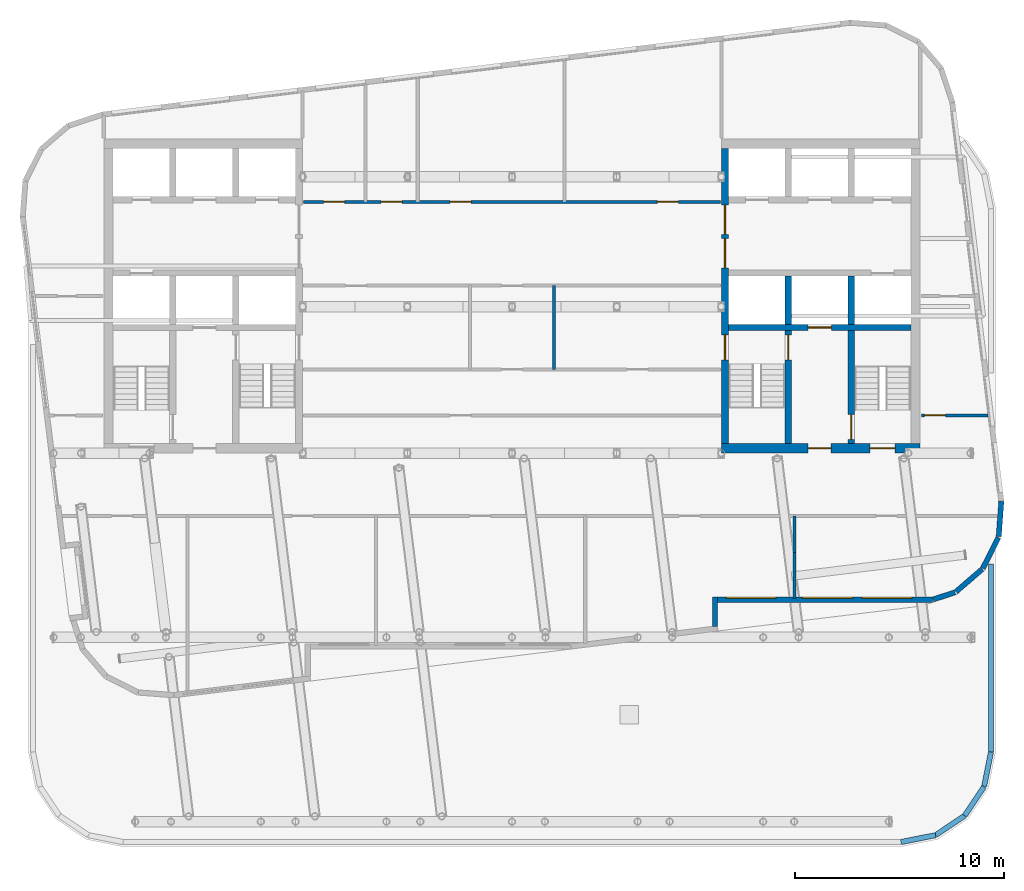
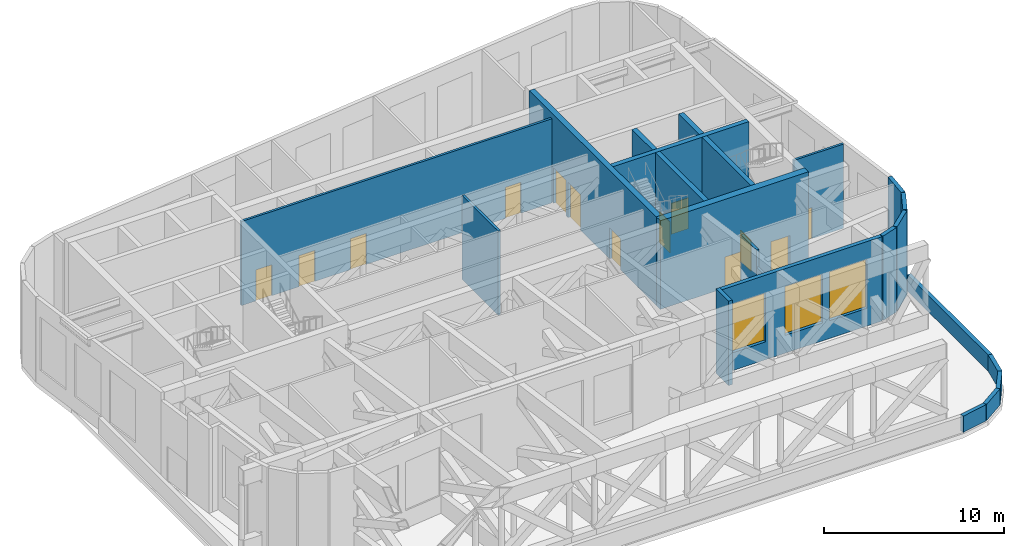
# One storey, part 11 of 16: 23 walls, 13 doors, 3 windows, 16 openings.
"""IFC4 building model written with IfcOpenShell, lengths in metres."""

from ifc_helpers import new_model, si_unit, direction, frame, frame_2d, origin, place, context, subcontext, project, spatial, rectangle, extrude, material, layer, layer_set, type_object, element, fill, save


model = new_model("IFC4")

# Units and contexts
model_context = context("Model", 3, precision=1e-05, world=origin(), true_north=direction((0.0, 1.0)))
body_context = subcontext(model_context, "Body", "Model", "MODEL_VIEW")
ifc_project = project(units=[si_unit("LENGTHUNIT", "METRE"), si_unit("AREAUNIT", "SQUARE_METRE"), si_unit("VOLUMEUNIT", "CUBIC_METRE"), si_unit("PLANEANGLEUNIT", "RADIAN"), si_unit("MASSUNIT", "GRAM", prefix="KILO")], contexts=[model_context])

# Site, building, storey
site_placement = place(None, origin())
site = spatial("IfcSite", under=ifc_project, at=site_placement, CompositionType="ELEMENT")
building_placement = place(site_placement, origin())
building = spatial("IfcBuilding", under=site, at=building_placement, Name="Torana Hotel and Residences", CompositionType="ELEMENT")
storey_placement = place(building_placement, frame((0.0, 0.0, 308.60009765625)))
storey = spatial("IfcBuildingStorey", under=building, at=storey_placement, Name="L82", CompositionType="ELEMENT", Elevation=308.60009765625)

# Wall, opening, door
ifc_material_1 = material(Name="Concrete C60/75", Category="concrete")
ifc_layer_1 = layer(ifc_material_1, 0.300048828125)
ifc_layer_set_1 = layer_set([ifc_layer_1], Name="CORE WALL 300 C60/75")
wall_type_1 = type_object("IfcWallType", Name="CORE WALL 300 C60/75", PredefinedType="SHEAR", material=ifc_layer_set_1)
wall_1_placement = place(storey_placement, frame((10.35009765625, -9.0, 0.0), z_axis=(0.0, 0.0, 1.0), x_axis=(1.0, 0.0, 0.0)))
wall_1 = element("IfcWall", 1, at=wall_1_placement, inside=storey, type_object=wall_type_1, Name="Core wall E band", PredefinedType="SHEAR", context=body_context, shape_type="SweptSolid", body=[
    extrude(rectangle(XDim=8.699951171875, YDim=0.300048828125, at=frame_2d((4.35009765625, 0.0))), origin(), (0.0, 0.0, 1.0), 6.0),
])
opening_1_placement = place(wall_1_placement, frame((3.800048828125, 0.0, 0.0)))
opening_1 = element("IfcOpeningElement", 2, at=opening_1_placement, cuts=wall_1, Name="Opening LD", PredefinedType="OPENING", context=body_context, shape_type="SweptSolid", body=[
    extrude(rectangle(XDim=1.10009765625, YDim=2.10009765625, at=frame_2d((0.550048828125, 1.050048828125))), frame((0.0, 0.159912109375, 0.0), z_axis=(0.0, -1.0, 0.0), x_axis=(1.0, 0.0, 0.0)), (0.0, 0.0, 1.0), 0.320068359375),
])
ifc_material_2 = material(Name="Stainless steel 316", Category="steel")
door_type_1 = type_object("IfcDoorType", Name="LIFT LANDING DOOR LD 1100x2100", OperationType="DOUBLE_DOOR_SLIDING", PredefinedType="USERDEFINED", material=ifc_material_2)
door_1_placement = place(opening_1_placement, origin())
door_1 = element("IfcDoor", 3, at=door_1_placement, inside=storey, type_object=door_type_1, Name="Lift landing door FF2 L82", ObjectType="LIFT LANDING DOOR", OperationType="DOUBLE_DOOR_SLIDING", OverallHeight=2.10009765625, OverallWidth=1.10009765625, PredefinedType="USERDEFINED", context=body_context, shape_type="SweptSolid", body=[
    extrude(rectangle(XDim=1.10009765625, YDim=2.10009765625, at=frame_2d((0.550048828125, 1.050048828125))), frame((0.0, 0.02490234375, 0.0), z_axis=(0.0, -1.0, 0.0), x_axis=(1.0, 0.0, 0.0)), (0.0, 0.0, 1.0), 0.050048828125),
])
fill(opening_1, door_1)

# Wall
wall_2_placement = place(storey_placement, frame((13.199951171875, -8.85009765625, 0.0), z_axis=(0.0, 0.0, 1.0), x_axis=(0.0, 1.0, 0.0)))
element("IfcWall", 4, at=wall_2_placement, inside=storey, type_object=wall_type_1, Name="Core wall E x3.05-S", PredefinedType="SHEAR", context=body_context, shape_type="SweptSolid", body=[
    extrude(rectangle(XDim=2.300048828125, YDim=0.300048828125, at=frame_2d((1.14990234375, 0.0))), origin(), (0.0, 0.0, 1.0), 6.0),
])

# Wall, opening, door
wall_3_placement = place(storey_placement, frame((13.199951171875, -14.550048828125, 0.0), z_axis=(0.0, 0.0, 1.0), x_axis=(0.0, 1.0, 0.0)))
wall_3 = element("IfcWall", 5, at=wall_3_placement, inside=storey, type_object=wall_type_1, Name="Core wall E x3.05-band", PredefinedType="SHEAR", context=body_context, shape_type="SweptSolid", body=[
    extrude(rectangle(XDim=5.400146484375, YDim=0.300048828125, at=frame_2d((2.7001953125, 0.0))), origin(), (0.0, 0.0, 1.0), 6.0),
])
opening_2_placement = place(wall_3_placement, frame((4.0, 0.0, 0.0)))
opening_2 = element("IfcOpeningElement", 6, at=opening_2_placement, cuts=wall_3, Name="Opening L82-15", PredefinedType="OPENING", context=body_context, shape_type="SweptSolid", body=[
    extrude(rectangle(XDim=1.199951171875, YDim=2.10009765625, at=frame_2d((0.60009765625, 1.050048828125))), frame((0.0, 0.159912109375, 0.0), z_axis=(0.0, -1.0, 0.0), x_axis=(1.0, 0.0, 0.0)), (0.0, 0.0, 1.0), 0.320068359375),
])
ifc_material_3 = material(Name="Steel S235", Category="steel")
door_type_2 = type_object("IfcDoorType", Name="STAIR FIRE DOOR D3 1200x2100", OperationType="SINGLE_SWING_LEFT", PredefinedType="DOOR", material=ifc_material_3)
door_2_placement = place(opening_2_placement, origin())
door_2 = element("IfcDoor", 7, at=door_2_placement, inside=storey, type_object=door_type_2, Name="Stair-A-lobby door L82", OperationType="SINGLE_SWING_LEFT", OverallHeight=2.10009765625, OverallWidth=1.199951171875, PredefinedType="DOOR", context=body_context, shape_type="SweptSolid", body=[
    extrude(rectangle(XDim=1.199951171875, YDim=2.10009765625, at=frame_2d((0.60009765625, 1.050048828125))), frame((0.0, 0.02490234375, 0.0), z_axis=(0.0, -1.0, 0.0), x_axis=(1.0, 0.0, 0.0)), (0.0, 0.0, 1.0), 0.050048828125),
])
fill(opening_2, door_2)

# Wall
wall_4_placement = place(storey_placement, frame((16.199951171875, -8.85009765625, 0.0), z_axis=(0.0, 0.0, 1.0), x_axis=(0.0, 1.0, 0.0)))
element("IfcWall", 8, at=wall_4_placement, inside=storey, type_object=wall_type_1, Name="Core wall E x6.05-S", PredefinedType="SHEAR", context=body_context, shape_type="SweptSolid", body=[
    extrude(rectangle(XDim=2.300048828125, YDim=0.300048828125, at=frame_2d((1.14990234375, 0.0))), origin(), (0.0, 0.0, 1.0), 6.0),
])

# Wall, opening, door
wall_5_placement = place(storey_placement, frame((16.199951171875, -14.550048828125, 0.0), z_axis=(0.0, 0.0, 1.0), x_axis=(0.0, 1.0, 0.0)))
wall_5 = element("IfcWall", 9, at=wall_5_placement, inside=storey, type_object=wall_type_1, Name="Core wall E x6.05-band", PredefinedType="SHEAR", context=body_context, shape_type="SweptSolid", body=[
    extrude(rectangle(XDim=5.400146484375, YDim=0.300048828125, at=frame_2d((2.7001953125, 0.0))), origin(), (0.0, 0.0, 1.0), 6.0),
])
opening_3_placement = place(wall_5_placement, frame((0.199951171875, 0.0, 0.0)))
opening_3 = element("IfcOpeningElement", 10, at=opening_3_placement, cuts=wall_5, Name="Opening L82-16", PredefinedType="OPENING", context=body_context, shape_type="SweptSolid", body=[
    extrude(rectangle(XDim=1.199951171875, YDim=2.10009765625, at=frame_2d((0.60009765625, 1.050048828125))), frame((0.0, 0.159912109375, 0.0), z_axis=(0.0, -1.0, 0.0), x_axis=(1.0, 0.0, 0.0)), (0.0, 0.0, 1.0), 0.320068359375),
])
door_3_placement = place(opening_3_placement, frame((0.60009765625, 0.0, 0.0), z_axis=(0.0, 0.0, 1.0), x_axis=(-1.0, 0.0, 0.0)))
door_3 = element("IfcDoor", 11, at=door_3_placement, inside=storey, type_object=door_type_2, Name="Stair-B-lobby door L82", OperationType="SINGLE_SWING_LEFT", OverallHeight=2.10009765625, OverallWidth=1.199951171875, PredefinedType="DOOR", context=body_context, shape_type="SweptSolid", body=[
    extrude(rectangle(XDim=1.199951171875, YDim=2.10009765625, at=frame_2d((0.0, 1.050048828125))), frame((0.0, -0.02490234375, 0.0), z_axis=(0.0, 1.0, 0.0), x_axis=(-1.0, 0.0, 0.0)), (0.0, 0.0, 1.0), 0.050048828125),
])
fill(opening_3, door_3)

# Wall, openings, doors
ifc_material_4 = material(Name="Concrete C60/75", Category="concrete")
ifc_layer_2 = layer(ifc_material_4, 0.35009765625)
ifc_layer_set_2 = layer_set([ifc_layer_2], Name="CORE WALL 350 C60/75")
wall_type_2 = type_object("IfcWallType", Name="CORE WALL 350 C60/75", PredefinedType="SHEAR", material=ifc_layer_set_2)
wall_6_placement = place(storey_placement, frame((10.175048828125, -14.550048828125, 0.0), z_axis=(0.0, 0.0, 1.0), x_axis=(0.0, 1.0, 0.0)))
wall_6 = element("IfcWall", 12, at=wall_6_placement, inside=storey, type_object=wall_type_2, Name="Core wall E arch", PredefinedType="SHEAR", context=body_context, shape_type="SweptSolid", body=[
    extrude(rectangle(XDim=14.10009765625, YDim=0.35009765625, at=frame_2d((7.050048828125, 0.0))), origin(), (0.0, 0.0, 1.0), 6.0),
])
opening_4_placement = place(wall_6_placement, frame((8.39990234375, 0.0, 0.0)))
opening_4 = element("IfcOpeningElement", 13, at=opening_4_placement, cuts=wall_6, Name="Opening L82-09", PredefinedType="OPENING", context=body_context, shape_type="SweptSolid", body=[
    extrude(rectangle(XDim=1.39990234375, YDim=2.39990234375, at=frame_2d((0.699951171875, 1.199951171875))), frame((0.0, 0.18505859375, 0.0), z_axis=(0.0, -1.0, 0.0), x_axis=(1.0, 0.0, 0.0)), (0.0, 0.0, 1.0), 0.3701171875),
])
opening_5_placement = place(wall_6_placement, frame((10.0, 0.0, 0.0)))
opening_5 = element("IfcOpeningElement", 14, at=opening_5_placement, cuts=wall_6, Name="Opening L82-10", PredefinedType="OPENING", context=body_context, shape_type="SweptSolid", body=[
    extrude(rectangle(XDim=1.39990234375, YDim=2.39990234375, at=frame_2d((0.699951171875, 1.199951171875))), frame((0.0, 0.18505859375, 0.0), z_axis=(0.0, -1.0, 0.0), x_axis=(1.0, 0.0, 0.0)), (0.0, 0.0, 1.0), 0.3701171875),
])
opening_6_placement = place(wall_6_placement, frame((4.0, 0.0, 0.0)))
opening_6 = element("IfcOpeningElement", 15, at=opening_6_placement, cuts=wall_6, Name="Opening L82-11", PredefinedType="OPENING", context=body_context, shape_type="SweptSolid", body=[
    extrude(rectangle(XDim=1.199951171875, YDim=2.10009765625, at=frame_2d((0.60009765625, 1.050048828125))), frame((0.0, 0.18505859375, 0.0), z_axis=(0.0, -1.0, 0.0), x_axis=(1.0, 0.0, 0.0)), (0.0, 0.0, 1.0), 0.3701171875),
])
ifc_material_5 = material(Name="Steel S235", Category="steel")
door_type_3 = type_object("IfcDoorType", Name="LOBBY FIRE DOOR D4 1400x2400", OperationType="DOUBLE_DOOR_SINGLE_SWING", PredefinedType="DOOR", material=ifc_material_5)
door_4_placement = place(opening_4_placement, origin())
door_4 = element("IfcDoor", 16, at=door_4_placement, inside=storey, type_object=door_type_3, Name="Lobby-1 door L82", OperationType="DOUBLE_DOOR_SINGLE_SWING", OverallHeight=2.39990234375, OverallWidth=1.39990234375, PredefinedType="DOOR", context=body_context, shape_type="SweptSolid", body=[
    extrude(rectangle(XDim=1.39990234375, YDim=2.39990234375, at=frame_2d((0.699951171875, 1.199951171875))), frame((0.0, 0.02490234375, 0.0), z_axis=(0.0, -1.0, 0.0), x_axis=(1.0, 0.0, 0.0)), (0.0, 0.0, 1.0), 0.050048828125),
])
fill(opening_4, door_4)
door_5_placement = place(opening_5_placement, origin())
door_5 = element("IfcDoor", 17, at=door_5_placement, inside=storey, type_object=door_type_3, Name="Lobby-2 door L82", OperationType="DOUBLE_DOOR_SINGLE_SWING", OverallHeight=2.39990234375, OverallWidth=1.39990234375, PredefinedType="DOOR", context=body_context, shape_type="SweptSolid", body=[
    extrude(rectangle(XDim=1.39990234375, YDim=2.39990234375, at=frame_2d((0.699951171875, 1.199951171875))), frame((0.0, 0.02490234375, 0.0), z_axis=(0.0, -1.0, 0.0), x_axis=(1.0, 0.0, 0.0)), (0.0, 0.0, 1.0), 0.050048828125),
])
fill(opening_5, door_5)
door_6_placement = place(opening_6_placement, frame((0.60009765625, 0.0, 0.0), z_axis=(0.0, 0.0, 1.0), x_axis=(-1.0, 0.0, 0.0)))
door_6 = element("IfcDoor", 18, at=door_6_placement, inside=storey, type_object=door_type_2, Name="Stair-A door L82", OperationType="SINGLE_SWING_RIGHT", OverallHeight=2.10009765625, OverallWidth=1.199951171875, PredefinedType="DOOR", context=body_context, shape_type="SweptSolid", body=[
    extrude(rectangle(XDim=1.199951171875, YDim=2.10009765625, at=frame_2d((0.0, 1.050048828125))), frame((0.0, -0.02490234375, 0.0), z_axis=(0.0, 1.0, 0.0), x_axis=(-1.0, 0.0, 0.0)), (0.0, 0.0, 1.0), 0.050048828125),
])
fill(opening_6, door_6)

ifc_material_6 = material(Name="Concrete C60/75", Category="concrete")
ifc_layer_3 = layer(ifc_material_6, 0.449951171875)
ifc_layer_set_3 = layer_set([ifc_layer_3], Name="CORE WALL 450 C60/75")
wall_type_3 = type_object("IfcWallType", Name="CORE WALL 450 C60/75", PredefinedType="SHEAR", material=ifc_layer_set_3)
wall_7_placement = place(storey_placement, frame((10.0, -14.77490234375, 0.0), z_axis=(0.0, 0.0, 1.0), x_axis=(1.0, 0.0, 0.0)))
wall_7 = element("IfcWall", 19, at=wall_7_placement, inside=storey, type_object=wall_type_3, Name="Core wall E front", PredefinedType="SHEAR", context=body_context, shape_type="SweptSolid", body=[
    extrude(rectangle(XDim=9.5, YDim=0.449951171875, at=frame_2d((4.75, 0.0))), origin(), (0.0, 0.0, 1.0), 6.0),
])
opening_7_placement = place(wall_7_placement, frame((7.10009765625, 0.0, 0.0)))
opening_7 = element("IfcOpeningElement", 20, at=opening_7_placement, cuts=wall_7, Name="Opening L82-12", PredefinedType="OPENING", context=body_context, shape_type="SweptSolid", body=[
    extrude(rectangle(XDim=1.199951171875, YDim=2.10009765625, at=frame_2d((0.60009765625, 1.050048828125))), frame((0.0, 0.23486328125, 0.0), z_axis=(0.0, -1.0, 0.0), x_axis=(1.0, 0.0, 0.0)), (0.0, 0.0, 1.0), 0.469970703125),
])
opening_8_placement = place(wall_7_placement, frame((4.14990234375, 0.0, 0.0)))
opening_8 = element("IfcOpeningElement", 21, at=opening_8_placement, cuts=wall_7, Name="Opening L82-13", PredefinedType="OPENING", context=body_context, shape_type="SweptSolid", body=[
    extrude(rectangle(XDim=1.10009765625, YDim=2.10009765625, at=frame_2d((0.550048828125, 1.050048828125))), frame((0.0, 0.23486328125, 0.0), z_axis=(0.0, -1.0, 0.0), x_axis=(1.0, 0.0, 0.0)), (0.0, 0.0, 1.0), 0.469970703125),
])
ifc_material_7 = material(Name="Steel S235", Category="steel")
door_type_4 = type_object("IfcDoorType", Name="FIRE-FIGHTING LOBBY DOOR D8 1100x2100", OperationType="SINGLE_SWING_LEFT", PredefinedType="DOOR", material=ifc_material_7)
door_7_placement = place(opening_8_placement, origin())
door_7 = element("IfcDoor", 22, at=door_7_placement, inside=storey, type_object=door_type_4, Name="FF-lobby door L82", OperationType="SINGLE_SWING_RIGHT", OverallHeight=2.10009765625, OverallWidth=1.10009765625, PredefinedType="DOOR", context=body_context, shape_type="SweptSolid", body=[
    extrude(rectangle(XDim=1.10009765625, YDim=2.10009765625, at=frame_2d((0.550048828125, 1.050048828125))), frame((0.0, 0.02490234375, 0.0), z_axis=(0.0, -1.0, 0.0), x_axis=(1.0, 0.0, 0.0)), (0.0, 0.0, 1.0), 0.050048828125),
])
fill(opening_8, door_7)
door_8_placement = place(opening_7_placement, origin())
door_8 = element("IfcDoor", 23, at=door_8_placement, inside=storey, type_object=door_type_2, Name="Stair-B door L82", OperationType="SINGLE_SWING_RIGHT", OverallHeight=2.10009765625, OverallWidth=1.199951171875, PredefinedType="DOOR", context=body_context, shape_type="SweptSolid", body=[
    extrude(rectangle(XDim=1.199951171875, YDim=2.10009765625, at=frame_2d((0.60009765625, 1.050048828125))), frame((0.0, 0.02490234375, 0.0), z_axis=(0.0, -1.0, 0.0), x_axis=(1.0, 0.0, 0.0)), (0.0, 0.0, 1.0), 0.050048828125),
])
fill(opening_7, door_8)

# Wall
ifc_material_8 = material(Name="Aluminium louvre wall", Category="aluminium")
ifc_layer_4 = layer(ifc_material_8, 0.25)
ifc_layer_set_4 = layer_set([ifc_layer_4], Name="EW3 LOUVRE WALL 250")
wall_type_4 = type_object("IfcWallType", Name="EW3 LOUVRE WALL 250", PredefinedType="SOLIDWALL", material=ifc_layer_set_4)
wall_8_placement = place(storey_placement, frame((9.703125, -23.278076171875, 0.0), z_axis=(0.0, 0.0, 1.0), x_axis=(0.0, 1.0, 0.0)))
element("IfcWall", 24, at=wall_8_placement, inside=storey, type_object=wall_type_4, Name="Louvre wall L82 e0.14r2", PredefinedType="SOLIDWALL", context=body_context, shape_type="SweptSolid", body=[
    extrude(rectangle(XDim=1.403076171875, YDim=0.25, at=frame_2d((0.70166015625, 0.0))), origin(), (0.0, 0.0, 1.0), 5.719970703125),
])

# Wall, openings, windows
wall_9_placement = place(storey_placement, frame((9.828125, -22.0, 0.0), z_axis=(0.0, 0.0, 1.0), x_axis=(1.0, 0.0, 0.0)))
wall_9 = element("IfcWall", 25, at=wall_9_placement, inside=storey, type_object=wall_type_4, Name="Louvre wall L82 e0.14d", PredefinedType="SOLIDWALL", context=body_context, shape_type="SweptSolid", body=[
    extrude(rectangle(XDim=10.25048828125, YDim=0.25, at=frame_2d((5.125244140625, 0.0))), origin(), (0.0, 0.0, 1.0), 5.719970703125),
])
opening_9_placement = place(wall_9_placement, frame((0.40673828125, 0.0, 1.205078125)))
opening_9 = element("IfcOpeningElement", 26, at=opening_9_placement, cuts=wall_9, Name="Opening LV2", PredefinedType="OPENING", context=body_context, shape_type="SweptSolid", body=[
    extrude(rectangle(XDim=2.39990234375, YDim=3.31005859375, at=frame_2d((1.199951171875, 1.655029296875))), frame((0.0, 0.135009765625, 0.0), z_axis=(0.0, -1.0, 0.0), x_axis=(1.0, 0.0, 0.0)), (0.0, 0.0, 1.0), 0.27001953125),
])
opening_10_placement = place(wall_9_placement, frame((4.047607421875, 0.0, 1.205078125)))
opening_10 = element("IfcOpeningElement", 27, at=opening_10_placement, cuts=wall_9, Name="Opening LV2", PredefinedType="OPENING", context=body_context, shape_type="SweptSolid", body=[
    extrude(rectangle(XDim=2.39990234375, YDim=3.31005859375, at=frame_2d((1.199951171875, 1.655029296875))), frame((0.0, 0.135009765625, 0.0), z_axis=(0.0, -1.0, 0.0), x_axis=(1.0, 0.0, 0.0)), (0.0, 0.0, 1.0), 0.27001953125),
])
opening_11_placement = place(wall_9_placement, frame((6.89453125, 0.0, 1.205078125)))
opening_11 = element("IfcOpeningElement", 28, at=opening_11_placement, cuts=wall_9, Name="Opening LV2", PredefinedType="OPENING", context=body_context, shape_type="SweptSolid", body=[
    extrude(rectangle(XDim=2.39990234375, YDim=3.31005859375, at=frame_2d((1.199951171875, 1.655029296875))), frame((0.0, 0.135009765625, 0.0), z_axis=(0.0, -1.0, 0.0), x_axis=(1.0, 0.0, 0.0)), (0.0, 0.0, 1.0), 0.27001953125),
])
ifc_material_9 = material(Name="Aluminium louvre blades", Category="aluminium")
window_type = type_object("IfcWindowType", Name="LV2 LOUVRE 2400x3600", PartitioningType="SINGLE_PANEL", PredefinedType="USERDEFINED", material=ifc_material_9)
window_1_placement = place(opening_9_placement, origin())
window_1 = element("IfcWindow", 29, at=window_1_placement, inside=storey, type_object=window_type, Name="Louvre L82", ObjectType="LOUVRE", OverallHeight=3.31005859375, OverallWidth=2.39990234375, PartitioningType="SINGLE_PANEL", PredefinedType="USERDEFINED", context=body_context, shape_type="SweptSolid", body=[
    extrude(rectangle(XDim=2.39990234375, YDim=3.31005859375, at=frame_2d((1.199951171875, 1.655029296875))), frame((0.0, 0.125, 0.0), z_axis=(0.0, -1.0, 0.0), x_axis=(1.0, 0.0, 0.0)), (0.0, 0.0, 1.0), 0.06005859375),
])
fill(opening_9, window_1)
window_2_placement = place(opening_10_placement, origin())
window_2 = element("IfcWindow", 30, at=window_2_placement, inside=storey, type_object=window_type, Name="Louvre L82", ObjectType="LOUVRE", OverallHeight=3.31005859375, OverallWidth=2.39990234375, PartitioningType="SINGLE_PANEL", PredefinedType="USERDEFINED", context=body_context, shape_type="SweptSolid", body=[
    extrude(rectangle(XDim=2.39990234375, YDim=3.31005859375, at=frame_2d((1.199951171875, 1.655029296875))), frame((0.0, 0.125, 0.0), z_axis=(0.0, -1.0, 0.0), x_axis=(1.0, 0.0, 0.0)), (0.0, 0.0, 1.0), 0.06005859375),
])
fill(opening_10, window_2)
window_3_placement = place(opening_11_placement, origin())
window_3 = element("IfcWindow", 31, at=window_3_placement, inside=storey, type_object=window_type, Name="Louvre L82", ObjectType="LOUVRE", OverallHeight=3.31005859375, OverallWidth=2.39990234375, PartitioningType="SINGLE_PANEL", PredefinedType="USERDEFINED", context=body_context, shape_type="SweptSolid", body=[
    extrude(rectangle(XDim=2.39990234375, YDim=3.31005859375, at=frame_2d((1.199951171875, 1.655029296875))), frame((0.0, 0.125, 0.0), z_axis=(0.0, -1.0, 0.0), x_axis=(1.0, 0.0, 0.0)), (0.0, 0.0, 1.0), 0.06005859375),
])
fill(opening_11, window_3)

# Walls
wall_10_placement = place(storey_placement, frame((20.117919921875, -21.99365234375, 0.0), z_axis=(0.0, 0.0, 1.0), x_axis=(0.949674753288, 0.313237710001, 0.0)))
element("IfcWall", 32, at=wall_10_placement, inside=storey, type_object=wall_type_4, Name="Louvre wall L82 e0.15", PredefinedType="SOLIDWALL", context=body_context, shape_type="SweptSolid", body=[
    extrude(rectangle(XDim=1.102783203125, YDim=0.25, at=frame_2d((0.55126953125, 0.0))), origin(), (0.0, 0.0, 1.0), 5.719970703125),
])
wall_11_placement = place(storey_placement, frame((21.207763671875, -21.624267578125, 0.0), z_axis=(0.0, 0.0, 1.0), x_axis=(0.757568315466, 0.652755886531, 0.0)))
element("IfcWall", 33, at=wall_11_placement, inside=storey, type_object=wall_type_4, Name="Louvre wall L82 e0.16", PredefinedType="SOLIDWALL", context=body_context, shape_type="SweptSolid", body=[
    extrude(rectangle(XDim=1.65625, YDim=0.25, at=frame_2d((0.828125, 0.0))), origin(), (0.0, 0.0, 1.0), 5.719970703125),
])
wall_12_placement = place(storey_placement, frame((22.49267578125, -20.504638671875, 0.0), z_axis=(0.0, 0.0, 1.0), x_axis=(0.449982385812, 0.893037430604, 0.0)))
element("IfcWall", 34, at=wall_12_placement, inside=storey, type_object=wall_type_4, Name="Louvre wall L82 e0.17", PredefinedType="SOLIDWALL", context=body_context, shape_type="SweptSolid", body=[
    extrude(rectangle(XDim=1.656494140625, YDim=0.25, at=frame_2d((0.828125, 0.0))), origin(), (0.0, 0.0, 1.0), 5.719970703125),
])
wall_13_placement = place(storey_placement, frame((23.251220703125, -18.978515625, 0.0), z_axis=(0.0, 0.0, 1.0), x_axis=(0.074053534713, 0.997254267475, 0.0)))
element("IfcWall", 35, at=wall_13_placement, inside=storey, type_object=wall_type_4, Name="Louvre wall L82 e0.18", PredefinedType="SOLIDWALL", context=body_context, shape_type="SweptSolid", body=[
    extrude(rectangle(XDim=1.681396484375, YDim=0.25, at=frame_2d((0.8408203125, 0.0))), origin(), (0.0, 0.0, 1.0), 5.719970703125),
])
ifc_material_10 = material(Name="Gypsum plaster")
ifc_layer_5 = layer(ifc_material_10, 0.014892578125, Name="Plaster", Category="finish")
ifc_material_11 = material(Name="Concrete blockwork", Category="masonry")
ifc_layer_6 = layer(ifc_material_11, 0.1201171875, Name="Blockwork", Category="structure")
ifc_layer_7 = layer(ifc_material_10, 0.014892578125, Name="Plaster", Category="finish")
ifc_layer_set_5 = layer_set([ifc_layer_5, ifc_layer_6, ifc_layer_7], Name="FIRE PARTITION 150 BLOCKWORK")
wall_type_5 = type_object("IfcWallType", Name="FIRE PARTITION 150 BLOCKWORK", PredefinedType="PARTITIONING", material=ifc_layer_set_5)
wall_14_placement = place(storey_placement, frame((2.0, -11.0, 0.0), z_axis=(0.0, 0.0, 1.0), x_axis=(0.0, 1.0, 0.0)))
element("IfcWall", 36, at=wall_14_placement, inside=storey, type_object=wall_type_5, Name="Partition L82", PredefinedType="PARTITIONING", context=body_context, shape_type="SweptSolid", body=[
    extrude(rectangle(XDim=4.0, YDim=0.14990234375, at=frame_2d((2.0, 0.0))), origin(), (0.0, 0.0, 1.0), 5.699951171875),
])

# Wall, opening, door
wall_15_placement = place(storey_placement, frame((19.550048828125, -13.199951171875, 0.0), z_axis=(0.0, 0.0, 1.0), x_axis=(1.0, 0.0, 0.0)))
wall_15 = element("IfcWall", 37, at=wall_15_placement, inside=storey, type_object=wall_type_5, Name="Partition L82", PredefinedType="PARTITIONING", context=body_context, shape_type="SweptSolid", body=[
    extrude(rectangle(XDim=3.1865234375, YDim=0.14990234375, at=frame_2d((1.59326171875, 0.0))), origin(), (0.0, 0.0, 1.0), 5.699951171875),
])
opening_12_placement = place(wall_15_placement, frame((0.14990234375, 0.0, 0.0)))
opening_12 = element("IfcOpeningElement", 38, at=opening_12_placement, cuts=wall_15, Name="Opening L82-24", PredefinedType="OPENING", context=body_context, shape_type="SweptSolid", body=[
    extrude(rectangle(XDim=1.0, YDim=2.10009765625, at=frame_2d((0.5, 1.050048828125))), frame((0.0, 0.0849609375, 0.0), z_axis=(0.0, -1.0, 0.0), x_axis=(1.0, 0.0, 0.0)), (0.0, 0.0, 1.0), 0.169921875),
])
ifc_material_12 = material(Name="Steel S235", Category="steel")
door_type_5 = type_object("IfcDoorType", Name="CORE ROOM FIRE DOOR D14 1000x2100", OperationType="SINGLE_SWING_LEFT", PredefinedType="DOOR", material=ifc_material_12)
door_9_placement = place(opening_12_placement, origin())
door_9 = element("IfcDoor", 39, at=door_9_placement, inside=storey, type_object=door_type_5, Name="Door L82", OperationType="SINGLE_SWING_RIGHT", OverallHeight=2.10009765625, OverallWidth=1.0, PredefinedType="DOOR", context=body_context, shape_type="SweptSolid", body=[
    extrude(rectangle(XDim=1.0, YDim=2.10009765625, at=frame_2d((0.5, 1.050048828125))), frame((0.0, 0.02490234375, 0.0), z_axis=(0.0, -1.0, 0.0), x_axis=(1.0, 0.0, 0.0)), (0.0, 0.0, 1.0), 0.050048828125),
])
fill(opening_12, door_9)

# Wall, openings, doors
wall_16_placement = place(storey_placement, frame((-9.949951171875, -3.0, 0.0), z_axis=(0.0, 0.0, 1.0), x_axis=(1.0, 0.0, 0.0)))
wall_16 = element("IfcWall", 40, at=wall_16_placement, inside=storey, type_object=wall_type_5, Name="Partition L82", PredefinedType="PARTITIONING", context=body_context, shape_type="SweptSolid", body=[
    extrude(rectangle(XDim=19.89990234375, YDim=0.14990234375, at=frame_2d((9.949951171875, 0.0))), origin(), (0.0, 0.0, 1.0), 5.699951171875),
])
opening_13_placement = place(wall_16_placement, frame((0.949951171875, 0.0, 0.0)))
opening_13 = element("IfcOpeningElement", 41, at=opening_13_placement, cuts=wall_16, Name="Opening L82-29", PredefinedType="OPENING", context=body_context, shape_type="SweptSolid", body=[
    extrude(rectangle(XDim=1.0, YDim=2.10009765625, at=frame_2d((0.5, 1.050048828125))), frame((0.0, 0.0849609375, 0.0), z_axis=(0.0, -1.0, 0.0), x_axis=(1.0, 0.0, 0.0)), (0.0, 0.0, 1.0), 0.169921875),
])
opening_14_placement = place(wall_16_placement, frame((3.699951171875, 0.0, 0.0)))
opening_14 = element("IfcOpeningElement", 42, at=opening_14_placement, cuts=wall_16, Name="Opening L82-30", PredefinedType="OPENING", context=body_context, shape_type="SweptSolid", body=[
    extrude(rectangle(XDim=1.0, YDim=2.10009765625, at=frame_2d((0.5, 1.050048828125))), frame((0.0, 0.0849609375, 0.0), z_axis=(0.0, -1.0, 0.0), x_axis=(1.0, 0.0, 0.0)), (0.0, 0.0, 1.0), 0.169921875),
])
opening_15_placement = place(wall_16_placement, frame((7.0, 0.0, 0.0)))
opening_15 = element("IfcOpeningElement", 43, at=opening_15_placement, cuts=wall_16, Name="Opening L82-31", PredefinedType="OPENING", context=body_context, shape_type="SweptSolid", body=[
    extrude(rectangle(XDim=1.0, YDim=2.10009765625, at=frame_2d((0.5, 1.050048828125))), frame((0.0, 0.0849609375, 0.0), z_axis=(0.0, -1.0, 0.0), x_axis=(1.0, 0.0, 0.0)), (0.0, 0.0, 1.0), 0.169921875),
])
opening_16_placement = place(wall_16_placement, frame((16.89990234375, 0.0, 0.0)))
opening_16 = element("IfcOpeningElement", 44, at=opening_16_placement, cuts=wall_16, Name="Opening L82-32", PredefinedType="OPENING", context=body_context, shape_type="SweptSolid", body=[
    extrude(rectangle(XDim=1.0, YDim=2.10009765625, at=frame_2d((0.5, 1.050048828125))), frame((0.0, 0.0849609375, 0.0), z_axis=(0.0, -1.0, 0.0), x_axis=(1.0, 0.0, 0.0)), (0.0, 0.0, 1.0), 0.169921875),
])
ifc_material_13 = material(Name="Steel S235", Category="steel")
door_type_6 = type_object("IfcDoorType", Name="ENTRY FIRE DOOR D6 1000x2100", OperationType="SINGLE_SWING_LEFT", PredefinedType="DOOR", material=ifc_material_13)
door_10_placement = place(opening_13_placement, origin())
door_10 = element("IfcDoor", 45, at=door_10_placement, inside=storey, type_object=door_type_6, Name="Door L82", OperationType="SINGLE_SWING_RIGHT", OverallHeight=2.10009765625, OverallWidth=1.0, PredefinedType="DOOR", context=body_context, shape_type="SweptSolid", body=[
    extrude(rectangle(XDim=1.0, YDim=2.10009765625, at=frame_2d((0.5, 1.050048828125))), frame((0.0, 0.02490234375, 0.0), z_axis=(0.0, -1.0, 0.0), x_axis=(1.0, 0.0, 0.0)), (0.0, 0.0, 1.0), 0.050048828125),
])
fill(opening_13, door_10)
door_11_placement = place(opening_14_placement, origin())
door_11 = element("IfcDoor", 46, at=door_11_placement, inside=storey, type_object=door_type_6, Name="Door L82", OperationType="SINGLE_SWING_RIGHT", OverallHeight=2.10009765625, OverallWidth=1.0, PredefinedType="DOOR", context=body_context, shape_type="SweptSolid", body=[
    extrude(rectangle(XDim=1.0, YDim=2.10009765625, at=frame_2d((0.5, 1.050048828125))), frame((0.0, 0.02490234375, 0.0), z_axis=(0.0, -1.0, 0.0), x_axis=(1.0, 0.0, 0.0)), (0.0, 0.0, 1.0), 0.050048828125),
])
fill(opening_14, door_11)
door_12_placement = place(opening_15_placement, origin())
door_12 = element("IfcDoor", 47, at=door_12_placement, inside=storey, type_object=door_type_6, Name="Door L82", OperationType="SINGLE_SWING_RIGHT", OverallHeight=2.10009765625, OverallWidth=1.0, PredefinedType="DOOR", context=body_context, shape_type="SweptSolid", body=[
    extrude(rectangle(XDim=1.0, YDim=2.10009765625, at=frame_2d((0.5, 1.050048828125))), frame((0.0, 0.02490234375, 0.0), z_axis=(0.0, -1.0, 0.0), x_axis=(1.0, 0.0, 0.0)), (0.0, 0.0, 1.0), 0.050048828125),
])
fill(opening_15, door_12)
door_13_placement = place(opening_16_placement, origin())
door_13 = element("IfcDoor", 48, at=door_13_placement, inside=storey, type_object=door_type_6, Name="Door L82", OperationType="SINGLE_SWING_RIGHT", OverallHeight=2.10009765625, OverallWidth=1.0, PredefinedType="DOOR", context=body_context, shape_type="SweptSolid", body=[
    extrude(rectangle(XDim=1.0, YDim=2.10009765625, at=frame_2d((0.5, 1.050048828125))), frame((0.0, 0.02490234375, 0.0), z_axis=(0.0, -1.0, 0.0), x_axis=(1.0, 0.0, 0.0)), (0.0, 0.0, 1.0), 0.050048828125),
])
fill(opening_16, door_13)

# Walls
ifc_material_14 = material(Name="Gypsum plasterboard")
ifc_layer_8 = layer(ifc_material_14, 0.012451171875, Name="Plasterboard", Category="finish")
ifc_layer_9 = layer(ifc_material_14, 0.012451171875, Name="Plasterboard", Category="finish")
ifc_material_15 = material(Name="Steel S280GD", Category="steel")
ifc_layer_10 = layer(ifc_material_15, 0.10009765625, Name="Steel studs with mineral wool", Category="insulation")
ifc_layer_11 = layer(ifc_material_14, 0.012451171875, Name="Plasterboard", Category="finish")
ifc_layer_12 = layer(ifc_material_14, 0.012451171875, Name="Plasterboard", Category="finish")
ifc_layer_set_6 = layer_set([ifc_layer_8, ifc_layer_9, ifc_layer_10, ifc_layer_11, ifc_layer_12], Name="PARTITION 150 PLASTERBOARD")
wall_type_6 = type_object("IfcWallType", Name="PARTITION 150 PLASTERBOARD", PredefinedType="PARTITIONING", material=ifc_layer_set_6)
wall_17_placement = place(storey_placement, frame((13.498046875, -21.945068359375, 0.0), z_axis=(0.0, 0.0, 1.0), x_axis=(0.0, 1.0, 0.0)))
element("IfcWall", 49, at=wall_17_placement, inside=storey, type_object=wall_type_6, Name="Partition L82", PredefinedType="PARTITIONING", context=body_context, shape_type="SweptSolid", body=[
    extrude(rectangle(XDim=2.206787109375, YDim=0.14990234375, at=frame_2d((1.103515625, 0.0))), origin(), (0.0, 0.0, 1.0), 4.52001953125),
])
wall_18_placement = place(storey_placement, frame((13.498046875, -19.73828125, 0.0), z_axis=(0.0, 0.0, 1.0), x_axis=(0.0, 1.0, 0.0)))
element("IfcWall", 50, at=wall_18_placement, inside=storey, type_object=wall_type_6, Name="Partition L82", PredefinedType="PARTITIONING", context=body_context, shape_type="SweptSolid", body=[
    extrude(rectangle(XDim=1.73828125, YDim=0.14990234375, at=frame_2d((0.869140625, 0.0))), origin(), (0.0, 0.0, 1.0), 5.699951171875),
])
ifc_material_16 = material(Name="Aluminium coping with drip", Category="aluminium")
ifc_layer_13 = layer(ifc_material_16, 0.0029296875, Name="Coping flashing", Category="flashing")
ifc_material_17 = material(Name="Concrete C40/50 precast", Category="concrete")
ifc_layer_14 = layer(ifc_material_17, 0.00390625, Name="Cladding", Category="cladding")
ifc_material_18 = material(Name="Concrete C40/50", Category="concrete")
ifc_layer_15 = layer(ifc_material_18, 0.199951171875, Name="Wall", Category="structure")
ifc_material_19 = material(Name="Mineral wool insulation")
ifc_layer_16 = layer(ifc_material_19, 0.0400390625, Name="Insulation", Category="insulation")
ifc_material_20 = material(Name="Waterproofing upstand")
ifc_layer_17 = layer(ifc_material_20, 0.0029296875, Name="Upstand membrane", Category="membrane")
ifc_layer_set_7 = layer_set([ifc_layer_13, ifc_layer_14, ifc_layer_15, ifc_layer_16, ifc_layer_17], Name="PP1 PARAPET 250")
wall_type_7 = type_object("IfcWallType", Name="PP1 PARAPET 250", PredefinedType="PARAPET", material=ifc_layer_set_7)
wall_19_placement = place(storey_placement, frame((22.8798828125, -20.2958984375, 0.0), z_axis=(0.0, 0.0, 1.0), x_axis=(0.0, -1.0, 0.0)))
element("IfcWall", 51, at=wall_19_placement, inside=storey, type_object=wall_type_7, Name="Roof parapet L82 4", PredefinedType="PARAPET", context=body_context, shape_type="SweptSolid", body=[
    extrude(rectangle(XDim=8.982421875, YDim=0.25, at=frame_2d((4.4912109375, 0.0))), origin(), (0.0, 0.0, 1.0), 1.099853515625),
])
wall_20_placement = place(storey_placement, frame((22.8798828125, -29.2783203125, 0.0), z_axis=(0.0, 0.0, 1.0), x_axis=(-0.194977246893, -0.980807765668, 0.0)))
element("IfcWall", 52, at=wall_20_placement, inside=storey, type_object=wall_type_7, Name="Roof parapet L82 5", PredefinedType="PARAPET", context=body_context, shape_type="SweptSolid", body=[
    extrude(rectangle(XDim=1.6904296875, YDim=0.25, at=frame_2d((0.84521484375, 0.0))), origin(), (0.0, 0.0, 1.0), 1.099853515625),
])
wall_21_placement = place(storey_placement, frame((22.55029296875, -30.936279296875, 0.0), z_axis=(0.0, 0.0, 1.0), x_axis=(-0.555611606078, -0.83144196622, 0.0)))
element("IfcWall", 53, at=wall_21_placement, inside=storey, type_object=wall_type_7, Name="Roof parapet L82 6", PredefinedType="PARAPET", context=body_context, shape_type="SweptSolid", body=[
    extrude(rectangle(XDim=1.66845703125, YDim=0.25, at=frame_2d((0.834228515625, 0.0))), origin(), (0.0, 0.0, 1.0), 1.099853515625),
])
wall_22_placement = place(storey_placement, frame((21.623291015625, -32.323486328125, 0.0), z_axis=(0.0, 0.0, 1.0), x_axis=(-0.831464395696, -0.555578040144, 0.0)))
element("IfcWall", 54, at=wall_22_placement, inside=storey, type_object=wall_type_7, Name="Roof parapet L82 7", PredefinedType="PARAPET", context=body_context, shape_type="SweptSolid", body=[
    extrude(rectangle(XDim=1.668212890625, YDim=0.25, at=frame_2d((0.833984375, 0.0))), origin(), (0.0, 0.0, 1.0), 1.099853515625),
])
wall_23_placement = place(storey_placement, frame((20.236328125, -33.250244140625, 0.0), z_axis=(0.0, 0.0, 1.0), x_axis=(-0.980780136967, -0.195116178036, 0.0)))
element("IfcWall", 55, at=wall_23_placement, inside=storey, type_object=wall_type_7, Name="Roof parapet L82 8", PredefinedType="PARAPET", context=body_context, shape_type="SweptSolid", body=[
    extrude(rectangle(XDim=1.6904296875, YDim=0.25, at=frame_2d((0.84521484375, 0.0))), origin(), (0.0, 0.0, 1.0), 1.099853515625),
])

save(model, "model.ifc")
